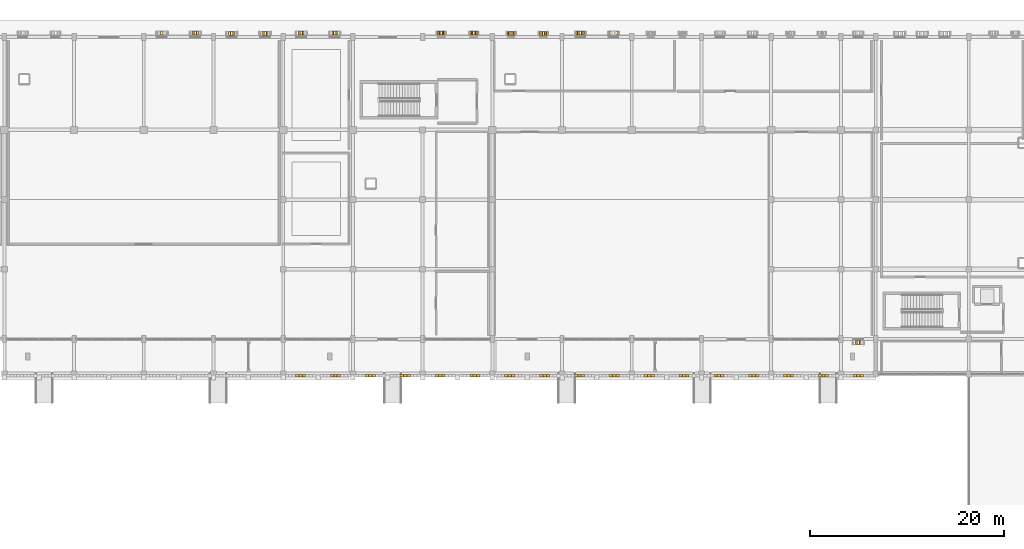
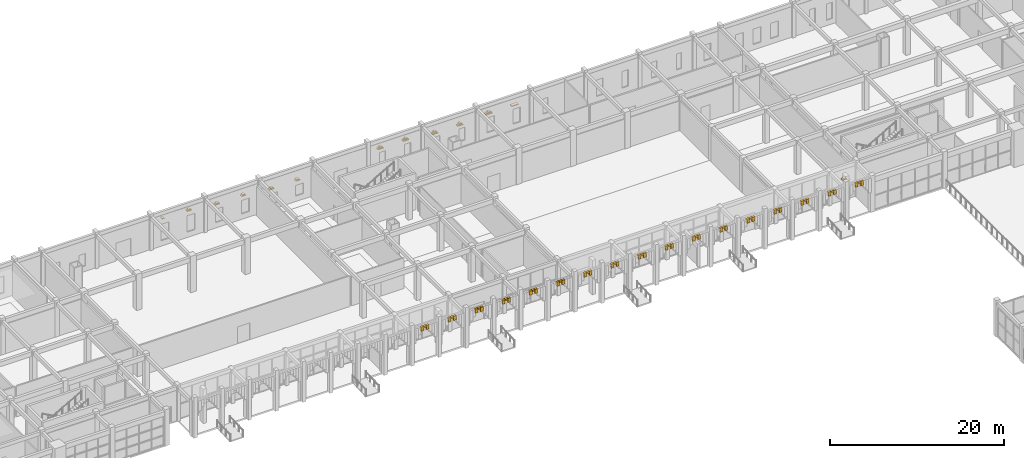
# One storey, part 68 of 72: 80 coverings.
"""IFC4 building model written with IfcOpenShell, lengths in metres."""

from ifc_helpers import new_model, si_unit, direction, frame, origin, origin_2d, place, context, subcontext, project, spatial, rectangle, extrude, material, layer, layer_set, type_object, element, save


model = new_model("IFC4")

# Units and contexts
model_context = context("Model", 3, precision=1e-05, world=origin(), true_north=direction((0.0, 1.0)))
body_context = subcontext(model_context, "Body", "Model", "MODEL_VIEW")
ifc_project = project(units=[si_unit("LENGTHUNIT", "METRE"), si_unit("AREAUNIT", "SQUARE_METRE"), si_unit("VOLUMEUNIT", "CUBIC_METRE"), si_unit("PLANEANGLEUNIT", "RADIAN"), si_unit("MASSUNIT", "GRAM", prefix="KILO")], contexts=[model_context])

# Site, building, storey
site_placement = place(None, origin())
site = spatial("IfcSite", under=ifc_project, at=site_placement, CompositionType="ELEMENT")
building_placement = place(site_placement, origin())
building = spatial("IfcBuilding", under=site, at=building_placement, Name="Nzembalo Square Collegiate School", CompositionType="ELEMENT")
storey_placement = place(building_placement, origin())
storey = spatial("IfcBuildingStorey", under=building, at=storey_placement, Name="L00", CompositionType="ELEMENT", Elevation=0.0)

# Coverings
ifc_material_1 = material(Name="Precast concrete C40/50 arch voussoir", Category="concrete")
ifc_layer_1 = layer(ifc_material_1, 0.1201171875, Name="Precast concrete C40/50 arch voussoir")
ifc_layer_set_1 = layer_set([ifc_layer_1], Name="Precast concrete C40/50 arch voussoir")
covering_type_1 = type_object("IfcCoveringType", Name="AR01", PredefinedType="CLADDING", material=ifc_layer_set_1)
covering_1_placement = place(storey_placement, frame((71.048828125, 79.02001953125, 4.2109375), z_axis=(0.0, 0.0, 1.0), x_axis=(1.0, 0.0, 0.0)))
element("IfcCovering", 1, at=covering_1_placement, inside=storey, type_object=covering_type_1, Name="Gothic pointed arch voussoir AR01-050-3", PredefinedType="CLADDING", context=body_context, shape_type="SweptSolid", body=[
    extrude(rectangle(XDim=0.35107421875, YDim=0.280029296875, at=origin_2d()), origin(), (0.0, 0.0, 1.0), 0.589111328125),
])
covering_2_placement = place(storey_placement, frame((71.39990234375, 79.02001953125, 4.579833984375), z_axis=(0.0, 0.0, 1.0), x_axis=(1.0, 0.0, 0.0)))
element("IfcCovering", 2, at=covering_2_placement, inside=storey, type_object=covering_type_1, Name="Gothic pointed arch voussoir AR01-050-4", PredefinedType="CLADDING", context=body_context, shape_type="SweptSolid", body=[
    extrude(rectangle(XDim=0.35107421875, YDim=0.280029296875, at=origin_2d()), origin(), (0.0, 0.0, 1.0), 0.22021484375),
])
for number, where, z_axis, x_axis, name in (
    (3, (71.7509765625, 79.02001953125, 4.2109375), (0.0, 0.0, 1.0), (1.0, 0.0, 0.0), "Gothic pointed arch voussoir AR01-050-5"),
    (4, (74.648681640625, 79.02001953125, 4.2109375), (0.0, 0.0, 1.0), (1.0, 0.0, 0.0), "Gothic pointed arch voussoir AR01-051-3"),
):
    element("IfcCovering", number, at=place(storey_placement, frame(where, z_axis=z_axis, x_axis=x_axis)), inside=storey, type_object=covering_type_1, Name=name, PredefinedType="CLADDING", context=body_context, shape_type="SweptSolid", body=[
        extrude(rectangle(XDim=0.35107421875, YDim=0.280029296875, at=origin_2d()), origin(), (0.0, 0.0, 1.0), 0.589111328125),
    ])
covering_3_placement = place(storey_placement, frame((75.0, 79.02001953125, 4.579833984375), z_axis=(0.0, 0.0, 1.0), x_axis=(1.0, 0.0, 0.0)))
element("IfcCovering", 5, at=covering_3_placement, inside=storey, type_object=covering_type_1, Name="Gothic pointed arch voussoir AR01-051-4", PredefinedType="CLADDING", context=body_context, shape_type="SweptSolid", body=[
    extrude(rectangle(XDim=0.35107421875, YDim=0.280029296875, at=origin_2d()), origin(), (0.0, 0.0, 1.0), 0.22021484375),
])
for number, where, z_axis, x_axis, name in (
    (6, (75.35107421875, 79.02001953125, 4.2109375), (0.0, 0.0, 1.0), (1.0, 0.0, 0.0), "Gothic pointed arch voussoir AR01-051-5"),
    (7, (78.248779296875, 79.02001953125, 4.2109375), (0.0, 0.0, 1.0), (1.0, 0.0, 0.0), "Gothic pointed arch voussoir AR01-052-3"),
):
    element("IfcCovering", number, at=place(storey_placement, frame(where, z_axis=z_axis, x_axis=x_axis)), inside=storey, type_object=covering_type_1, Name=name, PredefinedType="CLADDING", context=body_context, shape_type="SweptSolid", body=[
        extrude(rectangle(XDim=0.35107421875, YDim=0.280029296875, at=origin_2d()), origin(), (0.0, 0.0, 1.0), 0.589111328125),
    ])
covering_4_placement = place(storey_placement, frame((78.599853515625, 79.02001953125, 4.579833984375), z_axis=(0.0, 0.0, 1.0), x_axis=(1.0, 0.0, 0.0)))
element("IfcCovering", 8, at=covering_4_placement, inside=storey, type_object=covering_type_1, Name="Gothic pointed arch voussoir AR01-052-4", PredefinedType="CLADDING", context=body_context, shape_type="SweptSolid", body=[
    extrude(rectangle(XDim=0.35107421875, YDim=0.280029296875, at=origin_2d()), origin(), (0.0, 0.0, 1.0), 0.22021484375),
])
for number, where, z_axis, x_axis, name in (
    (9, (78.950927734375, 79.02001953125, 4.2109375), (0.0, 0.0, 1.0), (1.0, 0.0, 0.0), "Gothic pointed arch voussoir AR01-052-5"),
    (10, (81.848876953125, 79.02001953125, 4.2109375), (0.0, 0.0, 1.0), (1.0, 0.0, 0.0), "Gothic pointed arch voussoir AR01-053-3"),
):
    element("IfcCovering", number, at=place(storey_placement, frame(where, z_axis=z_axis, x_axis=x_axis)), inside=storey, type_object=covering_type_1, Name=name, PredefinedType="CLADDING", context=body_context, shape_type="SweptSolid", body=[
        extrude(rectangle(XDim=0.35107421875, YDim=0.280029296875, at=origin_2d()), origin(), (0.0, 0.0, 1.0), 0.589111328125),
    ])
covering_5_placement = place(storey_placement, frame((82.199951171875, 79.02001953125, 4.579833984375), z_axis=(0.0, 0.0, 1.0), x_axis=(1.0, 0.0, 0.0)))
element("IfcCovering", 11, at=covering_5_placement, inside=storey, type_object=covering_type_1, Name="Gothic pointed arch voussoir AR01-053-4", PredefinedType="CLADDING", context=body_context, shape_type="SweptSolid", body=[
    extrude(rectangle(XDim=0.35107421875, YDim=0.280029296875, at=origin_2d()), origin(), (0.0, 0.0, 1.0), 0.22021484375),
])
for number, where, z_axis, x_axis, name in (
    (12, (82.551025390625, 79.02001953125, 4.2109375), (0.0, 0.0, 1.0), (1.0, 0.0, 0.0), "Gothic pointed arch voussoir AR01-053-5"),
    (13, (85.44873046875, 79.02001953125, 4.2109375), (0.0, 0.0, 1.0), (1.0, 0.0, 0.0), "Gothic pointed arch voussoir AR01-054-3"),
):
    element("IfcCovering", number, at=place(storey_placement, frame(where, z_axis=z_axis, x_axis=x_axis)), inside=storey, type_object=covering_type_1, Name=name, PredefinedType="CLADDING", context=body_context, shape_type="SweptSolid", body=[
        extrude(rectangle(XDim=0.35107421875, YDim=0.280029296875, at=origin_2d()), origin(), (0.0, 0.0, 1.0), 0.589111328125),
    ])
covering_6_placement = place(storey_placement, frame((85.7998046875, 79.02001953125, 4.579833984375), z_axis=(0.0, 0.0, 1.0), x_axis=(1.0, 0.0, 0.0)))
element("IfcCovering", 14, at=covering_6_placement, inside=storey, type_object=covering_type_1, Name="Gothic pointed arch voussoir AR01-054-4", PredefinedType="CLADDING", context=body_context, shape_type="SweptSolid", body=[
    extrude(rectangle(XDim=0.35107421875, YDim=0.280029296875, at=origin_2d()), origin(), (0.0, 0.0, 1.0), 0.22021484375),
])
for number, where, z_axis, x_axis, name in (
    (15, (86.15087890625, 79.02001953125, 4.2109375), (0.0, 0.0, 1.0), (1.0, 0.0, 0.0), "Gothic pointed arch voussoir AR01-054-5"),
    (16, (89.048828125, 79.02001953125, 4.2109375), (0.0, 0.0, 1.0), (1.0, 0.0, 0.0), "Gothic pointed arch voussoir AR01-055-3"),
):
    element("IfcCovering", number, at=place(storey_placement, frame(where, z_axis=z_axis, x_axis=x_axis)), inside=storey, type_object=covering_type_1, Name=name, PredefinedType="CLADDING", context=body_context, shape_type="SweptSolid", body=[
        extrude(rectangle(XDim=0.35107421875, YDim=0.280029296875, at=origin_2d()), origin(), (0.0, 0.0, 1.0), 0.589111328125),
    ])
covering_7_placement = place(storey_placement, frame((89.39990234375, 79.02001953125, 4.579833984375), z_axis=(0.0, 0.0, 1.0), x_axis=(1.0, 0.0, 0.0)))
element("IfcCovering", 17, at=covering_7_placement, inside=storey, type_object=covering_type_1, Name="Gothic pointed arch voussoir AR01-055-4", PredefinedType="CLADDING", context=body_context, shape_type="SweptSolid", body=[
    extrude(rectangle(XDim=0.35107421875, YDim=0.280029296875, at=origin_2d()), origin(), (0.0, 0.0, 1.0), 0.22021484375),
])
for number, where, z_axis, x_axis, name in (
    (18, (89.7509765625, 79.02001953125, 4.2109375), (0.0, 0.0, 1.0), (1.0, 0.0, 0.0), "Gothic pointed arch voussoir AR01-055-5"),
    (19, (92.648681640625, 79.02001953125, 4.2109375), (0.0, 0.0, 1.0), (1.0, 0.0, 0.0), "Gothic pointed arch voussoir AR01-056-3"),
):
    element("IfcCovering", number, at=place(storey_placement, frame(where, z_axis=z_axis, x_axis=x_axis)), inside=storey, type_object=covering_type_1, Name=name, PredefinedType="CLADDING", context=body_context, shape_type="SweptSolid", body=[
        extrude(rectangle(XDim=0.35107421875, YDim=0.280029296875, at=origin_2d()), origin(), (0.0, 0.0, 1.0), 0.589111328125),
    ])
covering_8_placement = place(storey_placement, frame((93.0, 79.02001953125, 4.579833984375), z_axis=(0.0, 0.0, 1.0), x_axis=(1.0, 0.0, 0.0)))
element("IfcCovering", 20, at=covering_8_placement, inside=storey, type_object=covering_type_1, Name="Gothic pointed arch voussoir AR01-056-4", PredefinedType="CLADDING", context=body_context, shape_type="SweptSolid", body=[
    extrude(rectangle(XDim=0.35107421875, YDim=0.280029296875, at=origin_2d()), origin(), (0.0, 0.0, 1.0), 0.22021484375),
])
for number, where, z_axis, x_axis, name in (
    (21, (93.35107421875, 79.02001953125, 4.2109375), (0.0, 0.0, 1.0), (1.0, 0.0, 0.0), "Gothic pointed arch voussoir AR01-056-5"),
    (22, (96.248779296875, 79.02001953125, 4.2109375), (0.0, 0.0, 1.0), (1.0, 0.0, 0.0), "Gothic pointed arch voussoir AR01-057-3"),
):
    element("IfcCovering", number, at=place(storey_placement, frame(where, z_axis=z_axis, x_axis=x_axis)), inside=storey, type_object=covering_type_1, Name=name, PredefinedType="CLADDING", context=body_context, shape_type="SweptSolid", body=[
        extrude(rectangle(XDim=0.35107421875, YDim=0.280029296875, at=origin_2d()), origin(), (0.0, 0.0, 1.0), 0.589111328125),
    ])
covering_9_placement = place(storey_placement, frame((96.599853515625, 79.02001953125, 4.579833984375), z_axis=(0.0, 0.0, 1.0), x_axis=(1.0, 0.0, 0.0)))
element("IfcCovering", 23, at=covering_9_placement, inside=storey, type_object=covering_type_1, Name="Gothic pointed arch voussoir AR01-057-4", PredefinedType="CLADDING", context=body_context, shape_type="SweptSolid", body=[
    extrude(rectangle(XDim=0.35107421875, YDim=0.280029296875, at=origin_2d()), origin(), (0.0, 0.0, 1.0), 0.22021484375),
])
for number, where, z_axis, x_axis, name in (
    (24, (96.950927734375, 79.02001953125, 4.2109375), (0.0, 0.0, 1.0), (1.0, 0.0, 0.0), "Gothic pointed arch voussoir AR01-057-5"),
    (25, (99.848876953125, 79.02001953125, 4.2109375), (0.0, 0.0, 1.0), (1.0, 0.0, 0.0), "Gothic pointed arch voussoir AR01-058-3"),
):
    element("IfcCovering", number, at=place(storey_placement, frame(where, z_axis=z_axis, x_axis=x_axis)), inside=storey, type_object=covering_type_1, Name=name, PredefinedType="CLADDING", context=body_context, shape_type="SweptSolid", body=[
        extrude(rectangle(XDim=0.35107421875, YDim=0.280029296875, at=origin_2d()), origin(), (0.0, 0.0, 1.0), 0.589111328125),
    ])
covering_10_placement = place(storey_placement, frame((100.199951171875, 79.02001953125, 4.579833984375), z_axis=(0.0, 0.0, 1.0), x_axis=(1.0, 0.0, 0.0)))
element("IfcCovering", 26, at=covering_10_placement, inside=storey, type_object=covering_type_1, Name="Gothic pointed arch voussoir AR01-058-4", PredefinedType="CLADDING", context=body_context, shape_type="SweptSolid", body=[
    extrude(rectangle(XDim=0.35107421875, YDim=0.280029296875, at=origin_2d()), origin(), (0.0, 0.0, 1.0), 0.22021484375),
])
for number, where, z_axis, x_axis, name in (
    (27, (100.551025390625, 79.02001953125, 4.2109375), (0.0, 0.0, 1.0), (1.0, 0.0, 0.0), "Gothic pointed arch voussoir AR01-058-5"),
    (28, (103.44873046875, 79.02001953125, 4.2109375), (0.0, 0.0, 1.0), (1.0, 0.0, 0.0), "Gothic pointed arch voussoir AR01-059-3"),
):
    element("IfcCovering", number, at=place(storey_placement, frame(where, z_axis=z_axis, x_axis=x_axis)), inside=storey, type_object=covering_type_1, Name=name, PredefinedType="CLADDING", context=body_context, shape_type="SweptSolid", body=[
        extrude(rectangle(XDim=0.35107421875, YDim=0.280029296875, at=origin_2d()), origin(), (0.0, 0.0, 1.0), 0.589111328125),
    ])
covering_11_placement = place(storey_placement, frame((103.7998046875, 79.02001953125, 4.579833984375), z_axis=(0.0, 0.0, 1.0), x_axis=(1.0, 0.0, 0.0)))
element("IfcCovering", 29, at=covering_11_placement, inside=storey, type_object=covering_type_1, Name="Gothic pointed arch voussoir AR01-059-4", PredefinedType="CLADDING", context=body_context, shape_type="SweptSolid", body=[
    extrude(rectangle(XDim=0.35107421875, YDim=0.280029296875, at=origin_2d()), origin(), (0.0, 0.0, 1.0), 0.22021484375),
])
for number, where, z_axis, x_axis, name in (
    (30, (104.15087890625, 79.02001953125, 4.2109375), (0.0, 0.0, 1.0), (1.0, 0.0, 0.0), "Gothic pointed arch voussoir AR01-059-5"),
    (31, (107.048828125, 79.02001953125, 4.2109375), (0.0, 0.0, 1.0), (1.0, 0.0, 0.0), "Gothic pointed arch voussoir AR01-060-3"),
):
    element("IfcCovering", number, at=place(storey_placement, frame(where, z_axis=z_axis, x_axis=x_axis)), inside=storey, type_object=covering_type_1, Name=name, PredefinedType="CLADDING", context=body_context, shape_type="SweptSolid", body=[
        extrude(rectangle(XDim=0.35107421875, YDim=0.280029296875, at=origin_2d()), origin(), (0.0, 0.0, 1.0), 0.589111328125),
    ])
covering_12_placement = place(storey_placement, frame((107.39990234375, 79.02001953125, 4.579833984375), z_axis=(0.0, 0.0, 1.0), x_axis=(1.0, 0.0, 0.0)))
element("IfcCovering", 32, at=covering_12_placement, inside=storey, type_object=covering_type_1, Name="Gothic pointed arch voussoir AR01-060-4", PredefinedType="CLADDING", context=body_context, shape_type="SweptSolid", body=[
    extrude(rectangle(XDim=0.35107421875, YDim=0.280029296875, at=origin_2d()), origin(), (0.0, 0.0, 1.0), 0.22021484375),
])
for number, where, z_axis, x_axis, name in (
    (33, (107.7509765625, 79.02001953125, 4.2109375), (0.0, 0.0, 1.0), (1.0, 0.0, 0.0), "Gothic pointed arch voussoir AR01-060-5"),
    (34, (110.648681640625, 79.02001953125, 4.2109375), (0.0, 0.0, 1.0), (1.0, 0.0, 0.0), "Gothic pointed arch voussoir AR01-061-3"),
):
    element("IfcCovering", number, at=place(storey_placement, frame(where, z_axis=z_axis, x_axis=x_axis)), inside=storey, type_object=covering_type_1, Name=name, PredefinedType="CLADDING", context=body_context, shape_type="SweptSolid", body=[
        extrude(rectangle(XDim=0.35107421875, YDim=0.280029296875, at=origin_2d()), origin(), (0.0, 0.0, 1.0), 0.589111328125),
    ])
covering_13_placement = place(storey_placement, frame((111.0, 79.02001953125, 4.579833984375), z_axis=(0.0, 0.0, 1.0), x_axis=(1.0, 0.0, 0.0)))
element("IfcCovering", 35, at=covering_13_placement, inside=storey, type_object=covering_type_1, Name="Gothic pointed arch voussoir AR01-061-4", PredefinedType="CLADDING", context=body_context, shape_type="SweptSolid", body=[
    extrude(rectangle(XDim=0.35107421875, YDim=0.280029296875, at=origin_2d()), origin(), (0.0, 0.0, 1.0), 0.22021484375),
])
for number, where, z_axis, x_axis, name in (
    (36, (111.35107421875, 79.02001953125, 4.2109375), (0.0, 0.0, 1.0), (1.0, 0.0, 0.0), "Gothic pointed arch voussoir AR01-061-5"),
    (37, (114.248779296875, 79.02001953125, 4.2109375), (0.0, 0.0, 1.0), (1.0, 0.0, 0.0), "Gothic pointed arch voussoir AR01-062-3"),
):
    element("IfcCovering", number, at=place(storey_placement, frame(where, z_axis=z_axis, x_axis=x_axis)), inside=storey, type_object=covering_type_1, Name=name, PredefinedType="CLADDING", context=body_context, shape_type="SweptSolid", body=[
        extrude(rectangle(XDim=0.35107421875, YDim=0.280029296875, at=origin_2d()), origin(), (0.0, 0.0, 1.0), 0.589111328125),
    ])
covering_14_placement = place(storey_placement, frame((114.599853515625, 79.02001953125, 4.579833984375), z_axis=(0.0, 0.0, 1.0), x_axis=(1.0, 0.0, 0.0)))
element("IfcCovering", 38, at=covering_14_placement, inside=storey, type_object=covering_type_1, Name="Gothic pointed arch voussoir AR01-062-4", PredefinedType="CLADDING", context=body_context, shape_type="SweptSolid", body=[
    extrude(rectangle(XDim=0.35107421875, YDim=0.280029296875, at=origin_2d()), origin(), (0.0, 0.0, 1.0), 0.22021484375),
])
for number, where, z_axis, x_axis, name in (
    (39, (114.950927734375, 79.02001953125, 4.2109375), (0.0, 0.0, 1.0), (1.0, 0.0, 0.0), "Gothic pointed arch voussoir AR01-062-5"),
    (40, (117.848876953125, 79.02001953125, 4.2109375), (0.0, 0.0, 1.0), (1.0, 0.0, 0.0), "Gothic pointed arch voussoir AR01-063-3"),
):
    element("IfcCovering", number, at=place(storey_placement, frame(where, z_axis=z_axis, x_axis=x_axis)), inside=storey, type_object=covering_type_1, Name=name, PredefinedType="CLADDING", context=body_context, shape_type="SweptSolid", body=[
        extrude(rectangle(XDim=0.35107421875, YDim=0.280029296875, at=origin_2d()), origin(), (0.0, 0.0, 1.0), 0.589111328125),
    ])
covering_15_placement = place(storey_placement, frame((118.199951171875, 79.02001953125, 4.579833984375), z_axis=(0.0, 0.0, 1.0), x_axis=(1.0, 0.0, 0.0)))
element("IfcCovering", 41, at=covering_15_placement, inside=storey, type_object=covering_type_1, Name="Gothic pointed arch voussoir AR01-063-4", PredefinedType="CLADDING", context=body_context, shape_type="SweptSolid", body=[
    extrude(rectangle(XDim=0.35107421875, YDim=0.280029296875, at=origin_2d()), origin(), (0.0, 0.0, 1.0), 0.22021484375),
])
for number, where, z_axis, x_axis, name in (
    (42, (118.551025390625, 79.02001953125, 4.2109375), (0.0, 0.0, 1.0), (1.0, 0.0, 0.0), "Gothic pointed arch voussoir AR01-063-5"),
    (43, (121.44873046875, 79.02001953125, 4.2109375), (0.0, 0.0, 1.0), (1.0, 0.0, 0.0), "Gothic pointed arch voussoir AR01-064-3"),
):
    element("IfcCovering", number, at=place(storey_placement, frame(where, z_axis=z_axis, x_axis=x_axis)), inside=storey, type_object=covering_type_1, Name=name, PredefinedType="CLADDING", context=body_context, shape_type="SweptSolid", body=[
        extrude(rectangle(XDim=0.35107421875, YDim=0.280029296875, at=origin_2d()), origin(), (0.0, 0.0, 1.0), 0.589111328125),
    ])
covering_16_placement = place(storey_placement, frame((121.7998046875, 79.02001953125, 4.579833984375), z_axis=(0.0, 0.0, 1.0), x_axis=(1.0, 0.0, 0.0)))
element("IfcCovering", 44, at=covering_16_placement, inside=storey, type_object=covering_type_1, Name="Gothic pointed arch voussoir AR01-064-4", PredefinedType="CLADDING", context=body_context, shape_type="SweptSolid", body=[
    extrude(rectangle(XDim=0.35107421875, YDim=0.280029296875, at=origin_2d()), origin(), (0.0, 0.0, 1.0), 0.22021484375),
])
for number, where, z_axis, x_axis, name in (
    (45, (122.15087890625, 79.02001953125, 4.2109375), (0.0, 0.0, 1.0), (1.0, 0.0, 0.0), "Gothic pointed arch voussoir AR01-064-5"),
    (46, (125.048828125, 79.02001953125, 4.2109375), (0.0, 0.0, 1.0), (1.0, 0.0, 0.0), "Gothic pointed arch voussoir AR01-065-3"),
):
    element("IfcCovering", number, at=place(storey_placement, frame(where, z_axis=z_axis, x_axis=x_axis)), inside=storey, type_object=covering_type_1, Name=name, PredefinedType="CLADDING", context=body_context, shape_type="SweptSolid", body=[
        extrude(rectangle(XDim=0.35107421875, YDim=0.280029296875, at=origin_2d()), origin(), (0.0, 0.0, 1.0), 0.589111328125),
    ])
covering_17_placement = place(storey_placement, frame((125.39990234375, 79.02001953125, 4.579833984375), z_axis=(0.0, 0.0, 1.0), x_axis=(1.0, 0.0, 0.0)))
element("IfcCovering", 47, at=covering_17_placement, inside=storey, type_object=covering_type_1, Name="Gothic pointed arch voussoir AR01-065-4", PredefinedType="CLADDING", context=body_context, shape_type="SweptSolid", body=[
    extrude(rectangle(XDim=0.35107421875, YDim=0.280029296875, at=origin_2d()), origin(), (0.0, 0.0, 1.0), 0.22021484375),
])
for number, where, z_axis, x_axis, name in (
    (48, (125.7509765625, 79.02001953125, 4.2109375), (0.0, 0.0, 1.0), (1.0, 0.0, 0.0), "Gothic pointed arch voussoir AR01-065-5"),
    (49, (128.648681640625, 79.02001953125, 4.2109375), (0.0, 0.0, 1.0), (1.0, 0.0, 0.0), "Gothic pointed arch voussoir AR01-066-3"),
):
    element("IfcCovering", number, at=place(storey_placement, frame(where, z_axis=z_axis, x_axis=x_axis)), inside=storey, type_object=covering_type_1, Name=name, PredefinedType="CLADDING", context=body_context, shape_type="SweptSolid", body=[
        extrude(rectangle(XDim=0.35107421875, YDim=0.280029296875, at=origin_2d()), origin(), (0.0, 0.0, 1.0), 0.589111328125),
    ])
covering_18_placement = place(storey_placement, frame((129.0, 79.02001953125, 4.579833984375), z_axis=(0.0, 0.0, 1.0), x_axis=(1.0, 0.0, 0.0)))
element("IfcCovering", 50, at=covering_18_placement, inside=storey, type_object=covering_type_1, Name="Gothic pointed arch voussoir AR01-066-4", PredefinedType="CLADDING", context=body_context, shape_type="SweptSolid", body=[
    extrude(rectangle(XDim=0.35107421875, YDim=0.280029296875, at=origin_2d()), origin(), (0.0, 0.0, 1.0), 0.22021484375),
])
covering_19_placement = place(storey_placement, frame((129.35107421875, 79.02001953125, 4.2109375), z_axis=(0.0, 0.0, 1.0), x_axis=(1.0, 0.0, 0.0)))
element("IfcCovering", 51, at=covering_19_placement, inside=storey, type_object=covering_type_1, Name="Gothic pointed arch voussoir AR01-066-5", PredefinedType="CLADDING", context=body_context, shape_type="SweptSolid", body=[
    extrude(rectangle(XDim=0.35107421875, YDim=0.280029296875, at=origin_2d()), origin(), (0.0, 0.0, 1.0), 0.589111328125),
])
ifc_material_2 = material(Name="Glazed celadon ceramic window frame")
ifc_layer_2 = layer(ifc_material_2, 0.419921875, Name="Glazed celadon ceramic window frame")
ifc_layer_set_2 = layer_set([ifc_layer_2], Name="Glazed celadon ceramic window frame")
covering_type_2 = type_object("IfcCoveringType", Name="WF01", PredefinedType="CLADDING", material=ifc_layer_set_2)
covering_20_placement = place(storey_placement, frame((57.071044921875, 114.385009765625, 3.39990234375), z_axis=(0.0, 0.0, 1.0), x_axis=(1.0, 0.0, 0.0)))
element("IfcCovering", 52, at=covering_20_placement, inside=storey, type_object=covering_type_2, Name="Pointed lancet gable WF01-0084-3", PredefinedType="CLADDING", context=body_context, shape_type="SweptSolid", body=[
    extrude(rectangle(XDim=0.27490234375, YDim=0.419921875, at=origin_2d()), origin(), (0.0, 0.0, 1.0), 0.1201171875),
])
covering_21_placement = place(storey_placement, frame((60.529052734375, 114.385009765625, 3.280029296875), z_axis=(0.0, 0.0, 1.0), x_axis=(1.0, 0.0, 0.0)))
element("IfcCovering", 53, at=covering_21_placement, inside=storey, type_object=covering_type_2, Name="Pointed lancet gable WF01-0085-2", PredefinedType="CLADDING", context=body_context, shape_type="SweptSolid", body=[
    extrude(rectangle(XDim=0.60009765625, YDim=0.419921875, at=origin_2d()), origin(), (0.0, 0.0, 1.0), 0.1201171875),
])
covering_22_placement = place(storey_placement, frame((60.529052734375, 114.385009765625, 3.39990234375), z_axis=(0.0, 0.0, 1.0), x_axis=(1.0, 0.0, 0.0)))
element("IfcCovering", 54, at=covering_22_placement, inside=storey, type_object=covering_type_2, Name="Pointed lancet gable WF01-0085-3", PredefinedType="CLADDING", context=body_context, shape_type="SweptSolid", body=[
    extrude(rectangle(XDim=0.27490234375, YDim=0.419921875, at=origin_2d()), origin(), (0.0, 0.0, 1.0), 0.1201171875),
])
covering_23_placement = place(storey_placement, frame((64.27099609375, 114.375, 2.8798828125), z_axis=(0.0, 0.0, 1.0), x_axis=(1.0, 0.0, 0.0)))
element("IfcCovering", 55, at=covering_23_placement, inside=storey, type_object=covering_type_2, Name="Pointed lancet gable WF01-0086-2", PredefinedType="CLADDING", context=body_context, shape_type="SweptSolid", body=[
    extrude(rectangle(XDim=0.60009765625, YDim=0.419921875, at=origin_2d()), origin(), (0.0, 0.0, 1.0), 0.1201171875),
])
covering_24_placement = place(storey_placement, frame((64.27099609375, 114.375, 3.0), z_axis=(0.0, 0.0, 1.0), x_axis=(1.0, 0.0, 0.0)))
element("IfcCovering", 56, at=covering_24_placement, inside=storey, type_object=covering_type_2, Name="Pointed lancet gable WF01-0086-3", PredefinedType="CLADDING", context=body_context, shape_type="SweptSolid", body=[
    extrude(rectangle(XDim=0.27490234375, YDim=0.419921875, at=origin_2d()), origin(), (0.0, 0.0, 1.0), 0.1201171875),
])
covering_25_placement = place(storey_placement, frame((67.72900390625, 114.375, 2.8798828125), z_axis=(0.0, 0.0, 1.0), x_axis=(1.0, 0.0, 0.0)))
element("IfcCovering", 57, at=covering_25_placement, inside=storey, type_object=covering_type_2, Name="Pointed lancet gable WF01-0087-2", PredefinedType="CLADDING", context=body_context, shape_type="SweptSolid", body=[
    extrude(rectangle(XDim=0.60009765625, YDim=0.419921875, at=origin_2d()), origin(), (0.0, 0.0, 1.0), 0.1201171875),
])
covering_26_placement = place(storey_placement, frame((67.72900390625, 114.375, 3.0), z_axis=(0.0, 0.0, 1.0), x_axis=(1.0, 0.0, 0.0)))
element("IfcCovering", 58, at=covering_26_placement, inside=storey, type_object=covering_type_2, Name="Pointed lancet gable WF01-0087-3", PredefinedType="CLADDING", context=body_context, shape_type="SweptSolid", body=[
    extrude(rectangle(XDim=0.27490234375, YDim=0.419921875, at=origin_2d()), origin(), (0.0, 0.0, 1.0), 0.1201171875),
])
covering_27_placement = place(storey_placement, frame((71.470947265625, 114.385009765625, 2.47998046875), z_axis=(0.0, 0.0, 1.0), x_axis=(1.0, 0.0, 0.0)))
element("IfcCovering", 59, at=covering_27_placement, inside=storey, type_object=covering_type_2, Name="Pointed lancet gable WF01-0088-2", PredefinedType="CLADDING", context=body_context, shape_type="SweptSolid", body=[
    extrude(rectangle(XDim=0.60009765625, YDim=0.419921875, at=origin_2d()), origin(), (0.0, 0.0, 1.0), 0.1201171875),
])
covering_28_placement = place(storey_placement, frame((71.470947265625, 114.385009765625, 2.599853515625), z_axis=(0.0, 0.0, 1.0), x_axis=(1.0, 0.0, 0.0)))
element("IfcCovering", 60, at=covering_28_placement, inside=storey, type_object=covering_type_2, Name="Pointed lancet gable WF01-0088-3", PredefinedType="CLADDING", context=body_context, shape_type="SweptSolid", body=[
    extrude(rectangle(XDim=0.27490234375, YDim=0.419921875, at=origin_2d()), origin(), (0.0, 0.0, 1.0), 0.1201171875),
])
covering_29_placement = place(storey_placement, frame((74.928955078125, 114.385009765625, 2.47998046875), z_axis=(0.0, 0.0, 1.0), x_axis=(1.0, 0.0, 0.0)))
element("IfcCovering", 61, at=covering_29_placement, inside=storey, type_object=covering_type_2, Name="Pointed lancet gable WF01-0089-2", PredefinedType="CLADDING", context=body_context, shape_type="SweptSolid", body=[
    extrude(rectangle(XDim=0.60009765625, YDim=0.419921875, at=origin_2d()), origin(), (0.0, 0.0, 1.0), 0.1201171875),
])
covering_30_placement = place(storey_placement, frame((74.928955078125, 114.385009765625, 2.599853515625), z_axis=(0.0, 0.0, 1.0), x_axis=(1.0, 0.0, 0.0)))
element("IfcCovering", 62, at=covering_30_placement, inside=storey, type_object=covering_type_2, Name="Pointed lancet gable WF01-0089-3", PredefinedType="CLADDING", context=body_context, shape_type="SweptSolid", body=[
    extrude(rectangle(XDim=0.27490234375, YDim=0.419921875, at=origin_2d()), origin(), (0.0, 0.0, 1.0), 0.1201171875),
])
covering_31_placement = place(storey_placement, frame((85.928466796875, 114.385009765625, 3.079833984375), z_axis=(0.0, 0.0, 1.0), x_axis=(1.0, 0.0, 0.0)))
element("IfcCovering", 63, at=covering_31_placement, inside=storey, type_object=covering_type_2, Name="Pointed lancet gable WF01-0110-1", PredefinedType="CLADDING", context=body_context, shape_type="SweptSolid", body=[
    extrude(rectangle(XDim=0.77490234375, YDim=0.419921875, at=origin_2d()), origin(), (0.0, 0.0, 1.0), 0.1201171875),
])
covering_32_placement = place(storey_placement, frame((85.928466796875, 114.385009765625, 3.199951171875), z_axis=(0.0, 0.0, 1.0), x_axis=(1.0, 0.0, 0.0)))
element("IfcCovering", 64, at=covering_32_placement, inside=storey, type_object=covering_type_2, Name="Pointed lancet gable WF01-0110-2", PredefinedType="CLADDING", context=body_context, shape_type="SweptSolid", body=[
    extrude(rectangle(XDim=0.489990234375, YDim=0.419921875, at=origin_2d()), origin(), (0.0, 0.0, 1.0), 0.1201171875),
])
covering_33_placement = place(storey_placement, frame((85.928466796875, 114.385009765625, 3.31982421875), z_axis=(0.0, 0.0, 1.0), x_axis=(1.0, 0.0, 0.0)))
element("IfcCovering", 65, at=covering_33_placement, inside=storey, type_object=covering_type_2, Name="Pointed lancet gable WF01-0110-3", PredefinedType="CLADDING", context=body_context, shape_type="SweptSolid", body=[
    extrude(rectangle(XDim=0.22412109375, YDim=0.419921875, at=origin_2d()), origin(), (0.0, 0.0, 1.0), 0.1201171875),
])
covering_34_placement = place(storey_placement, frame((89.271484375, 114.385009765625, 3.079833984375), z_axis=(0.0, 0.0, 1.0), x_axis=(1.0, 0.0, 0.0)))
element("IfcCovering", 66, at=covering_34_placement, inside=storey, type_object=covering_type_2, Name="Pointed lancet gable WF01-0111-1", PredefinedType="CLADDING", context=body_context, shape_type="SweptSolid", body=[
    extrude(rectangle(XDim=0.77490234375, YDim=0.419921875, at=origin_2d()), origin(), (0.0, 0.0, 1.0), 0.1201171875),
])
covering_35_placement = place(storey_placement, frame((89.271484375, 114.385009765625, 3.199951171875), z_axis=(0.0, 0.0, 1.0), x_axis=(1.0, 0.0, 0.0)))
element("IfcCovering", 67, at=covering_35_placement, inside=storey, type_object=covering_type_2, Name="Pointed lancet gable WF01-0111-2", PredefinedType="CLADDING", context=body_context, shape_type="SweptSolid", body=[
    extrude(rectangle(XDim=0.489990234375, YDim=0.419921875, at=origin_2d()), origin(), (0.0, 0.0, 1.0), 0.1201171875),
])
covering_36_placement = place(storey_placement, frame((89.271484375, 114.385009765625, 3.31982421875), z_axis=(0.0, 0.0, 1.0), x_axis=(1.0, 0.0, 0.0)))
element("IfcCovering", 68, at=covering_36_placement, inside=storey, type_object=covering_type_2, Name="Pointed lancet gable WF01-0111-3", PredefinedType="CLADDING", context=body_context, shape_type="SweptSolid", body=[
    extrude(rectangle(XDim=0.22412109375, YDim=0.419921875, at=origin_2d()), origin(), (0.0, 0.0, 1.0), 0.1201171875),
])
covering_37_placement = place(storey_placement, frame((93.12841796875, 114.375, 2.679931640625), z_axis=(0.0, 0.0, 1.0), x_axis=(1.0, 0.0, 0.0)))
element("IfcCovering", 69, at=covering_37_placement, inside=storey, type_object=covering_type_2, Name="Pointed lancet gable WF01-0112-1", PredefinedType="CLADDING", context=body_context, shape_type="SweptSolid", body=[
    extrude(rectangle(XDim=0.77490234375, YDim=0.419921875, at=origin_2d()), origin(), (0.0, 0.0, 1.0), 0.1201171875),
])
covering_38_placement = place(storey_placement, frame((93.12841796875, 114.375, 2.800048828125), z_axis=(0.0, 0.0, 1.0), x_axis=(1.0, 0.0, 0.0)))
element("IfcCovering", 70, at=covering_38_placement, inside=storey, type_object=covering_type_2, Name="Pointed lancet gable WF01-0112-2", PredefinedType="CLADDING", context=body_context, shape_type="SweptSolid", body=[
    extrude(rectangle(XDim=0.489990234375, YDim=0.419921875, at=origin_2d()), origin(), (0.0, 0.0, 1.0), 0.1201171875),
])
covering_39_placement = place(storey_placement, frame((93.12841796875, 114.375, 2.919921875), z_axis=(0.0, 0.0, 1.0), x_axis=(1.0, 0.0, 0.0)))
element("IfcCovering", 71, at=covering_39_placement, inside=storey, type_object=covering_type_2, Name="Pointed lancet gable WF01-0112-3", PredefinedType="CLADDING", context=body_context, shape_type="SweptSolid", body=[
    extrude(rectangle(XDim=0.22412109375, YDim=0.419921875, at=origin_2d()), origin(), (0.0, 0.0, 1.0), 0.1201171875),
])
covering_40_placement = place(storey_placement, frame((96.471435546875, 114.375, 2.679931640625), z_axis=(0.0, 0.0, 1.0), x_axis=(1.0, 0.0, 0.0)))
element("IfcCovering", 72, at=covering_40_placement, inside=storey, type_object=covering_type_2, Name="Pointed lancet gable WF01-0113-1", PredefinedType="CLADDING", context=body_context, shape_type="SweptSolid", body=[
    extrude(rectangle(XDim=0.77490234375, YDim=0.419921875, at=origin_2d()), origin(), (0.0, 0.0, 1.0), 0.1201171875),
])
covering_41_placement = place(storey_placement, frame((96.471435546875, 114.375, 2.800048828125), z_axis=(0.0, 0.0, 1.0), x_axis=(1.0, 0.0, 0.0)))
element("IfcCovering", 73, at=covering_41_placement, inside=storey, type_object=covering_type_2, Name="Pointed lancet gable WF01-0113-2", PredefinedType="CLADDING", context=body_context, shape_type="SweptSolid", body=[
    extrude(rectangle(XDim=0.489990234375, YDim=0.419921875, at=origin_2d()), origin(), (0.0, 0.0, 1.0), 0.1201171875),
])
covering_42_placement = place(storey_placement, frame((96.471435546875, 114.375, 2.919921875), z_axis=(0.0, 0.0, 1.0), x_axis=(1.0, 0.0, 0.0)))
element("IfcCovering", 74, at=covering_42_placement, inside=storey, type_object=covering_type_2, Name="Pointed lancet gable WF01-0113-3", PredefinedType="CLADDING", context=body_context, shape_type="SweptSolid", body=[
    extrude(rectangle(XDim=0.22412109375, YDim=0.419921875, at=origin_2d()), origin(), (0.0, 0.0, 1.0), 0.1201171875),
])
covering_43_placement = place(storey_placement, frame((100.28857421875, 114.385009765625, 2.93994140625), z_axis=(0.0, 0.0, 1.0), x_axis=(1.0, 0.0, 0.0)))
element("IfcCovering", 75, at=covering_43_placement, inside=storey, type_object=covering_type_2, Name="Pointed lancet gable WF01-0114-1", PredefinedType="CLADDING", context=body_context, shape_type="SweptSolid", body=[
    extrude(rectangle(XDim=0.89697265625, YDim=0.419921875, at=origin_2d()), origin(), (0.0, 0.0, 1.0), 0.1201171875),
])
covering_44_placement = place(storey_placement, frame((100.28857421875, 114.385009765625, 3.06005859375), z_axis=(0.0, 0.0, 1.0), x_axis=(1.0, 0.0, 0.0)))
element("IfcCovering", 76, at=covering_44_placement, inside=storey, type_object=covering_type_2, Name="Pointed lancet gable WF01-0114-2", PredefinedType="CLADDING", context=body_context, shape_type="SweptSolid", body=[
    extrude(rectangle(XDim=0.56591796875, YDim=0.419921875, at=origin_2d()), origin(), (0.0, 0.0, 1.0), 0.1201171875),
])
covering_45_placement = place(storey_placement, frame((100.28857421875, 114.385009765625, 3.179931640625), z_axis=(0.0, 0.0, 1.0), x_axis=(1.0, 0.0, 0.0)))
element("IfcCovering", 77, at=covering_45_placement, inside=storey, type_object=covering_type_2, Name="Pointed lancet gable WF01-0114-3", PredefinedType="CLADDING", context=body_context, shape_type="SweptSolid", body=[
    extrude(rectangle(XDim=0.260009765625, YDim=0.419921875, at=origin_2d()), origin(), (0.0, 0.0, 1.0), 0.1201171875),
])
covering_46_placement = place(storey_placement, frame((103.71142578125, 114.385009765625, 2.93994140625), z_axis=(0.0, 0.0, 1.0), x_axis=(1.0, 0.0, 0.0)))
element("IfcCovering", 78, at=covering_46_placement, inside=storey, type_object=covering_type_2, Name="Pointed lancet gable WF01-0115-1", PredefinedType="CLADDING", context=body_context, shape_type="SweptSolid", body=[
    extrude(rectangle(XDim=0.89697265625, YDim=0.419921875, at=origin_2d()), origin(), (0.0, 0.0, 1.0), 0.1201171875),
])
covering_47_placement = place(storey_placement, frame((129.0, 82.425048828125, 3.079833984375), z_axis=(0.0, 0.0, 1.0), x_axis=(1.0, 0.0, 0.0)))
element("IfcCovering", 79, at=covering_47_placement, inside=storey, type_object=covering_type_2, Name="Pointed lancet gable WF01-0159-2", PredefinedType="CLADDING", context=body_context, shape_type="SweptSolid", body=[
    extrude(rectangle(XDim=0.60009765625, YDim=0.419921875, at=origin_2d()), origin(), (0.0, 0.0, 1.0), 0.1201171875),
])
covering_48_placement = place(storey_placement, frame((129.0, 82.425048828125, 3.199951171875), z_axis=(0.0, 0.0, 1.0), x_axis=(1.0, 0.0, 0.0)))
element("IfcCovering", 80, at=covering_48_placement, inside=storey, type_object=covering_type_2, Name="Pointed lancet gable WF01-0159-3", PredefinedType="CLADDING", context=body_context, shape_type="SweptSolid", body=[
    extrude(rectangle(XDim=0.27490234375, YDim=0.419921875, at=origin_2d()), origin(), (0.0, 0.0, 1.0), 0.1201171875),
])

save(model, "model.ifc")
